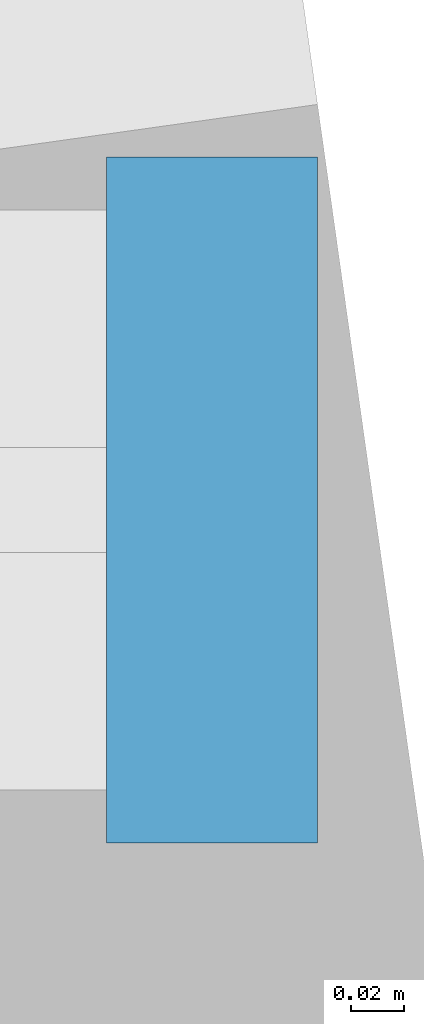
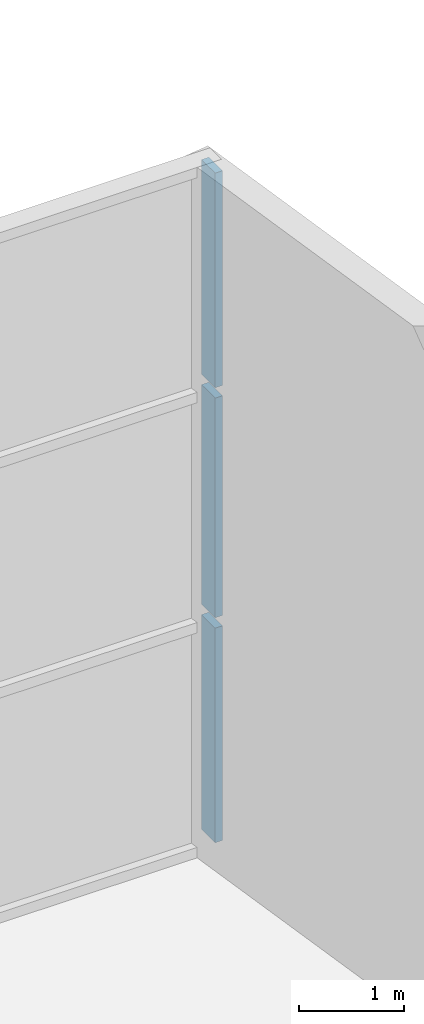
# One storey, part 11 of 31: 3 members, 1 element without a shape of its own.
"""IFC4 building model written with IfcOpenShell, lengths in metres."""

from ifc_helpers import new_model, si_unit, direction, frame, origin, origin_2d, place, context, subcontext, project, spatial, rectangle, extrude, material, material_profile, profile_set, type_object, element, aggregate, save


model = new_model("IFC4")

# Units and contexts
model_context = context("Model", 3, precision=1e-05, world=origin(), true_north=direction((0.0, 1.0)))
body_context = subcontext(model_context, "Body", "Model", "MODEL_VIEW")
ifc_project = project(units=[si_unit("LENGTHUNIT", "METRE"), si_unit("AREAUNIT", "SQUARE_METRE"), si_unit("VOLUMEUNIT", "CUBIC_METRE"), si_unit("PLANEANGLEUNIT", "RADIAN"), si_unit("MASSUNIT", "GRAM", prefix="KILO")], contexts=[model_context])

# Site, building, storey
site_placement = place(None, origin())
site = spatial("IfcSite", under=ifc_project, at=site_placement, CompositionType="ELEMENT")
building_placement = place(site_placement, origin())
building = spatial("IfcBuilding", under=site, at=building_placement, Name="Mirante Cascada Hotel Towers", CompositionType="ELEMENT")
storey_placement = place(building_placement, frame((0.0, 0.0, 9.0)))
storey = spatial("IfcBuildingStorey", under=building, at=storey_placement, Name="L01", CompositionType="ELEMENT", Elevation=9.0)

# Curtain wall, members
ifc_material_1 = material(Name="Aluminium mullion and transom frame with clear laminated glass", Category="aluminium")
curtain_wall_type = type_object("IfcCurtainWallType", Name="Podium curtain wall ECW3", PredefinedType="NOTDEFINED", material=ifc_material_1)
curtain_wall_placement = place(storey_placement, origin())
curtain_wall = element("IfcCurtainWall", 1, at=curtain_wall_placement, inside=storey, type_object=curtain_wall_type, Name="Podium curtain wall L01 run 4.1", PredefinedType="NOTDEFINED")
ifc_material_2 = material(Name="Anodised aluminium extrusion", Category="aluminium")
ifc_material_profile = material_profile(ifc_material_2, rectangle(XDim=0.26, YDim=0.08, at=origin_2d()), Name="ECW3 MULLION 80x260")
ifc_profile_set = profile_set([ifc_material_profile], Name="Anodised aluminium extrusion")
member_type = type_object("IfcMemberType", Name="ECW3 mullion 80x260", PredefinedType="MULLION", material=ifc_profile_set)
member_1_placement = place(storey_placement, frame((25.9546, 26.35, 0.12), z_axis=(0.0, 0.0, 1.0), x_axis=(0.0, -1.0, 0.0)))
member_1 = element("IfcMember", 2, at=member_1_placement, type_object=member_type, Name="ECW3 mullion 1", PredefinedType="MULLION", context=body_context, shape_type="SweptSolid", body=[
    extrude(rectangle(XDim=0.26, YDim=0.08, at=origin_2d()), origin(), (0.0, 0.0, 1.0), 2.4867),
])
member_2_placement = place(storey_placement, frame((25.9546, 26.35, 2.7267), z_axis=(0.0, 0.0, 1.0), x_axis=(0.0, -1.0, 0.0)))
member_2 = element("IfcMember", 3, at=member_2_placement, type_object=member_type, Name="ECW3 mullion 1", PredefinedType="MULLION", context=body_context, shape_type="SweptSolid", body=[
    extrude(rectangle(XDim=0.26, YDim=0.08, at=origin_2d()), origin(), (0.0, 0.0, 1.0), 2.5466),
])
member_3_placement = place(storey_placement, frame((25.9546, 26.35, 5.3933), z_axis=(0.0, 0.0, 1.0), x_axis=(0.0, -1.0, 0.0)))
member_3 = element("IfcMember", 4, at=member_3_placement, type_object=member_type, Name="ECW3 mullion 1", PredefinedType="MULLION", context=body_context, shape_type="SweptSolid", body=[
    extrude(rectangle(XDim=0.26, YDim=0.08, at=origin_2d()), origin(), (0.0, 0.0, 1.0), 2.4867),
])
aggregate(curtain_wall, [member_1, member_2, member_3])

save(model, "model.ifc")
